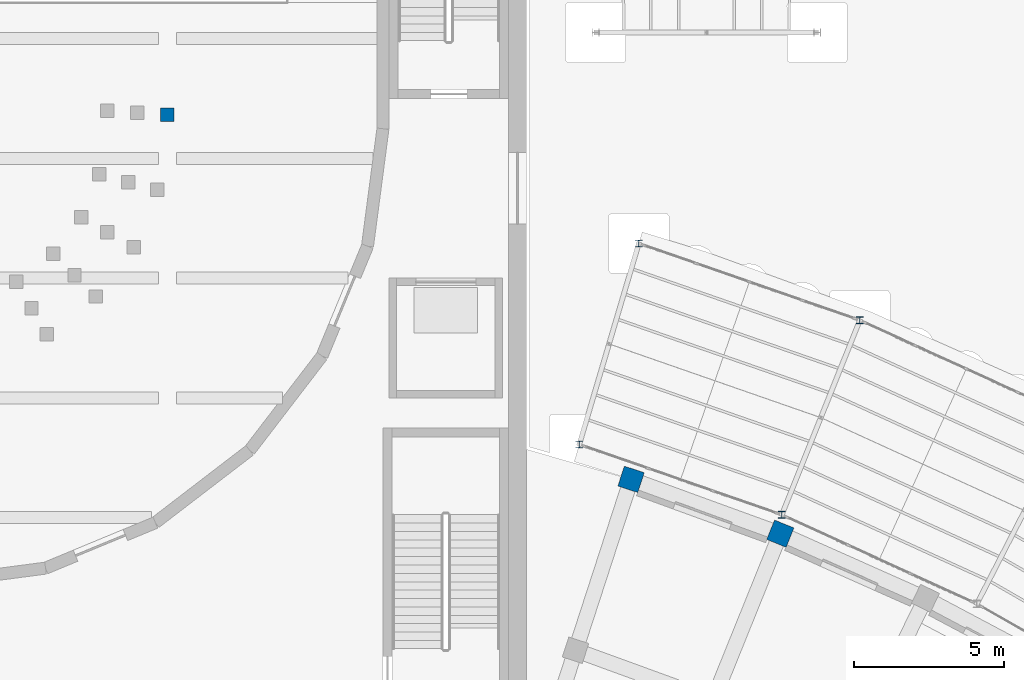
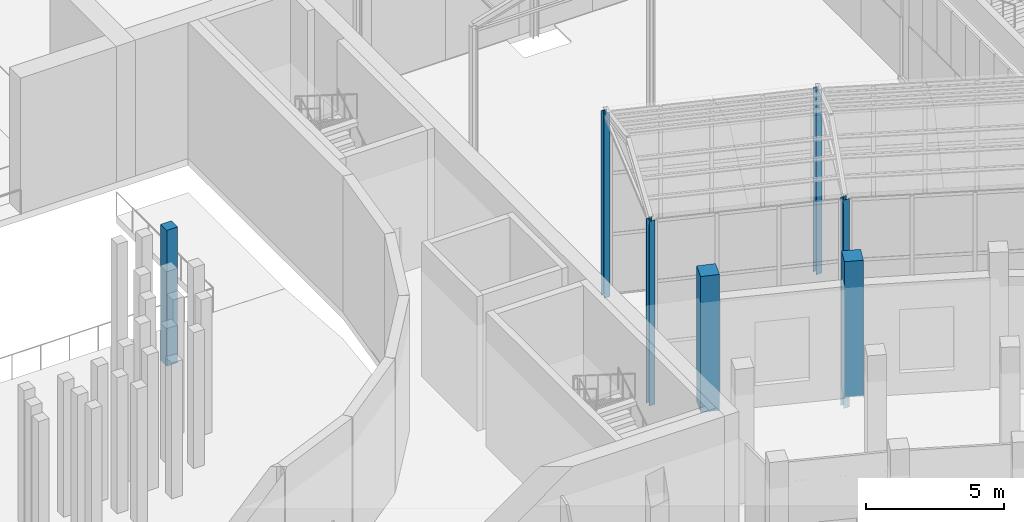
# One storey, part 14 of 155: 7 columns.
"""IFC4 building model written with IfcOpenShell, lengths in metres."""

import ifcopenshell
import ifcopenshell.guid

model = None  # the IFC model being written
_history = None  # IfcOwnerHistory: only IFC2X3 demands one
_inside = {}  # id of a spatial element -> (the spatial element, [elements in it])
_under = {}  # id of a project, library or spatial element -> (it, [spatial elements below it])
_declared = {}  # id of a project -> (the project, [libraries it declares])
_typed = {}  # id of a type object -> (the type object, [elements of that type])
_made_of = {}  # id of a material, layer set ... -> (it, [elements and type objects made of it])


def new_model(schema):
    """Start an empty IFC model of exactly this schema.

    Asked for "IFC4X3", IfcOpenShell would pick the latest addendum, in which some entities
    have other attributes; the version numbers below select the first issue.
    IFC2X3 requires an IfcOwnerHistory on every rooted entity: one is made here for all.
    """
    global model, _history
    if schema == "IFC4X3":
        model = ifcopenshell.file(schema_version=(4, 3, 0, 0))
    else:
        model = ifcopenshell.file(schema=schema)
    _inside.clear()
    _under.clear()
    _declared.clear()
    _typed.clear()
    _made_of.clear()
    _history = None
    if model.schema == "IFC2X3":
        org = make("IfcOrganization", Name="unknown")
        user = make(
            "IfcPersonAndOrganization",
            ThePerson=make("IfcPerson", FamilyName="unknown"),
            TheOrganization=org,
        )
        app = make(
            "IfcApplication",
            ApplicationDeveloper=org,
            Version="unknown",
            ApplicationFullName="unknown",
            ApplicationIdentifier="unknown",
        )
        _history = make(
            "IfcOwnerHistory",
            OwningUser=user,
            OwningApplication=app,
            ChangeAction="ADDED",
            CreationDate=0,
        )
    return model


def make(cls, **values):
    """One entity of the class cls with the attributes given. An attribute that is None is left unset."""
    return model.create_entity(
        cls, **{name: value for name, value in values.items() if value is not None}
    )


def rooted(cls, **values):
    """An entity with a GlobalId (a new one), such as an element, a storey or a relation."""
    return make(cls, GlobalId=ifcopenshell.guid.new(), OwnerHistory=_history, **values)


def si_unit(unit_type, name, prefix=None):
    """IfcSIUnit, for example si_unit("LENGTHUNIT", "METRE", prefix="MILLI")."""
    return make("IfcSIUnit", UnitType=unit_type, Prefix=prefix, Name=name)


def assignment(units):
    """IfcUnitAssignment: the units of a project."""
    return None if units is None else make("IfcUnitAssignment", Units=units)


def point(xyz):
    """IfcCartesianPoint."""
    return None if xyz is None else make("IfcCartesianPoint", Coordinates=xyz)


def direction(xyz):
    """IfcDirection."""
    return None if xyz is None else make("IfcDirection", DirectionRatios=xyz)


def frame(location, z_axis=None, x_axis=None):
    """IfcAxis2Placement3D, a coordinate frame: its origin and axes. An axis left out is left unset."""
    return make(
        "IfcAxis2Placement3D",
        Location=point(location),
        Axis=direction(z_axis),
        RefDirection=direction(x_axis),
    )


def frame_2d(location, x_axis=None):
    """IfcAxis2Placement2D, a coordinate frame in the plane: its origin and x axis."""
    return make(
        "IfcAxis2Placement2D", Location=point(location), RefDirection=direction(x_axis)
    )


def origin():
    """The frame at (0, 0, 0) with its axes left unset."""
    return frame((0.0, 0.0, 0.0))


def origin_2d():
    """The frame at (0, 0) in the plane with its x axis left unset."""
    return frame_2d((0.0, 0.0))


def place(relative_to, where):
    """IfcLocalPlacement: puts the frame where relative to a parent placement (None: the world)."""
    return make(
        "IfcLocalPlacement", PlacementRelTo=relative_to, RelativePlacement=where
    )


def context(
    kind, dimensions, precision=None, world=None, true_north=None, identifier=None
):
    """IfcGeometricRepresentationContext, for example the 3D "Model" context."""
    return make(
        "IfcGeometricRepresentationContext",
        ContextIdentifier=identifier,
        ContextType=kind,
        CoordinateSpaceDimension=dimensions,
        Precision=precision,
        WorldCoordinateSystem=world,
        TrueNorth=true_north,
    )


def subcontext(parent, identifier, kind, view, scale=None):
    """IfcGeometricRepresentationSubContext, for example "Body" below "Model"."""
    return make(
        "IfcGeometricRepresentationSubContext",
        ContextIdentifier=identifier,
        ContextType=kind,
        ParentContext=parent,
        TargetScale=scale,
        TargetView=view,
    )


def project(units=None, contexts=None):
    """IfcProject with its units and contexts."""
    return rooted(
        "IfcProject",
        Name="project",
        RepresentationContexts=contexts,
        UnitsInContext=assignment(units),
    )


def spatial(cls, under=None, at=None, **own):
    """A site, building, storey or space (cls), placed at a placement, below another one or the project."""
    s = rooted(cls, ObjectPlacement=at, **own)
    if under is not None:
        _under.setdefault(under.id(), (under, []))[1].append(s)
    return s


def profile(cls, at=None, kind="AREA", **sizes):
    """A parametric profile (cls). Its sizes go by their IFC names, for example OverallWidth=200.0."""
    return make(cls, ProfileType=kind, Position=at, **sizes)


def rectangle(**sizes):
    """IfcRectangleProfileDef."""
    return profile("IfcRectangleProfileDef", **sizes)


def i_section(**sizes):
    """IfcIShapeProfileDef."""
    return profile("IfcIShapeProfileDef", **sizes)


def extrude(swept, where, along, depth):
    """IfcExtrudedAreaSolid: the profile swept, set in the frame where, extruded along a direction by depth."""
    return make(
        "IfcExtrudedAreaSolid",
        SweptArea=swept,
        Position=where,
        ExtrudedDirection=direction(along),
        Depth=depth,
    )


def shape(context_of_items, identifier, shape_type, items):
    """IfcShapeRepresentation: the items that make up one representation, for example the "Body"."""
    return make(
        "IfcShapeRepresentation",
        ContextOfItems=context_of_items,
        RepresentationIdentifier=identifier,
        RepresentationType=shape_type,
        Items=items,
    )


def material(Name=None, Category=None):
    """IfcMaterial."""
    return make("IfcMaterial", Name=Name, Category=Category)


def material_profile(
    of_material, cross_section, Name=None, Category=None, Priority=None
):
    """IfcMaterialProfile: a cross section and its material."""
    return make(
        "IfcMaterialProfile",
        Name=Name,
        Material=of_material,
        Profile=cross_section,
        Priority=Priority,
        Category=Category,
    )


def profile_set(profiles, Name=None, composite=None):
    """IfcMaterialProfileSet."""
    return make(
        "IfcMaterialProfileSet",
        Name=Name,
        MaterialProfiles=profiles,
        CompositeProfile=composite,
    )


def made_of(thing, what):
    """Note that an element or type object is made of a material, layer set ...; save() writes the relation."""
    if what is not None:
        _made_of.setdefault(what.id(), (what, []))[1].append(thing)
    return thing


def type_object(cls, material=None, **own):
    """A type object (cls), such as IfcWallType, which elements share."""
    return made_of(rooted(cls, **own), material)


def element(
    cls,
    number,
    at=None,
    inside=None,
    cuts=None,
    type_object=None,
    material=None,
    context=None,
    identifier="Body",
    shape_type=None,
    held_by="IfcProductDefinitionShape",
    body=None,
    shapes=None,
    **own,
):
    """One element of the class cls, such as IfcWall. Its Tag is "e" and its number.

    at: its placement. inside: the storey or other place that contains it. cuts: it is an
    opening in that element (IfcRelVoidsElement). A single representation is given by context,
    identifier, shape_type and body (its items); several are given by shapes. held_by: the class
    of the entity that holds the representations. save() writes the other relations.
    """
    e = rooted(cls, Tag="e%d" % number, ObjectPlacement=at, **own)
    if body is not None:
        shapes = [shape(context, identifier, shape_type, body)]
    if shapes is not None:
        e.Representation = make(held_by, Representations=shapes)
    if inside is not None:
        _inside.setdefault(inside.id(), (inside, []))[1].append(e)
    if cuts is not None:
        rooted(
            "IfcRelVoidsElement", RelatingBuildingElement=cuts, RelatedOpeningElement=e
        )
    if type_object is not None:
        _typed.setdefault(type_object.id(), (type_object, []))[1].append(e)
    return made_of(e, material)


def aggregate(whole, parts):
    """IfcRelAggregates: a whole, such as a stair, and the parts it consists of."""
    return rooted("IfcRelAggregates", RelatingObject=whole, RelatedObjects=parts)


def save(model, path):
    """Write the relations noted so far, then the file.

    IfcRelAggregates (storeys below a building ...), IfcRelContainedInSpatialStructure (elements
    in a storey), IfcRelDefinesByType, IfcRelAssociatesMaterial and IfcRelDeclares: one each for
    every whole, place, type object, material and project.
    """
    for whole, parts in _under.values():
        aggregate(whole, parts)
    for where, things in _inside.values():
        rooted(
            "IfcRelContainedInSpatialStructure",
            RelatedElements=things,
            RelatingStructure=where,
        )
    for kind, things in _typed.values():
        rooted("IfcRelDefinesByType", RelatedObjects=things, RelatingType=kind)
    for what, things in _made_of.values():
        rooted("IfcRelAssociatesMaterial", RelatedObjects=things, RelatingMaterial=what)
    for by, libraries in _declared.values():
        rooted("IfcRelDeclares", RelatingContext=by, RelatedDefinitions=libraries)
    model.write(path)


model = new_model("IFC4")

# Units and contexts
model_context = context("Model", 3, precision=1e-05, world=origin(), true_north=direction((0.0, 1.0)))
body_context = subcontext(model_context, "Body", "Model", "MODEL_VIEW")
ifc_project = project(units=[si_unit("LENGTHUNIT", "METRE"), si_unit("AREAUNIT", "SQUARE_METRE"), si_unit("VOLUMEUNIT", "CUBIC_METRE"), si_unit("PLANEANGLEUNIT", "RADIAN"), si_unit("MASSUNIT", "GRAM", prefix="KILO")], contexts=[model_context])

# Site, building, storey
site_placement = place(None, origin())
site = spatial("IfcSite", under=ifc_project, at=site_placement, CompositionType="ELEMENT")
building_placement = place(site_placement, origin())
building = spatial("IfcBuilding", under=site, at=building_placement, Name="Lunette Opera House", CompositionType="ELEMENT")
storey_placement = place(building_placement, origin())
storey = spatial("IfcBuildingStorey", under=building, at=storey_placement, Name="L00", CompositionType="ELEMENT", Elevation=0.0)

# Columns
ifc_material_1 = material(Name="Concrete C40/50", Category="concrete")
ifc_material_profile_1 = material_profile(ifc_material_1, rectangle(XDim=0.449951171875, YDim=0.449951171875, at=origin_2d()), Name="RC COLUMN 450X450")
ifc_profile_set_1 = profile_set([ifc_material_profile_1], Name="Concrete C40/50")
column_type_1 = type_object("IfcColumnType", Name="RC COLUMN 450X450", PredefinedType="COLUMN", material=ifc_profile_set_1)
column_1_placement = place(storey_placement, frame((104.0, 84.458984375, 0.0), z_axis=(0.0, 0.0, 1.0), x_axis=(1.0, 0.0, 0.0)))
element("IfcColumn", 1, at=column_1_placement, inside=storey, type_object=column_type_1, Name="col-AU-L00-TCL04-13", PredefinedType="COLUMN", context=body_context, shape_type="SweptSolid", body=[
    extrude(rectangle(XDim=0.449951171875, YDim=0.449951171875, at=origin_2d()), origin(), (0.0, 0.0, 1.0), 6.0),
])
ifc_material_2 = material(Name="Concrete C35/45", Category="concrete")
ifc_material_profile_2 = material_profile(ifc_material_2, rectangle(XDim=0.699951171875, YDim=0.699951171875, at=origin_2d()), Name="RC COLUMN 700X700")
ifc_profile_set_2 = profile_set([ifc_material_profile_2], Name="Concrete C35/45")
column_type_2 = type_object("IfcColumnType", Name="RC COLUMN 700X700", PredefinedType="COLUMN", material=ifc_profile_set_2)
for number, where, z_axis, x_axis, name in (
    (2, (119.485107421875, 72.280029296875, 0.0), (0.0, 0.0, 1.0), (0.951056516295, -0.309016994375, 0.0), "col-FC-L00-AR-C-RL-18"),
    (3, (124.469970703125, 70.466064453125, 0.0), (0.0, 0.0, 1.0), (0.927183854567, -0.374606593416, 0.0), "col-FC-L00-AR-C-RL-19"),
):
    element("IfcColumn", number, at=place(storey_placement, frame(where, z_axis=z_axis, x_axis=x_axis)), inside=storey, type_object=column_type_2, Name=name, PredefinedType="COLUMN", context=body_context, shape_type="SweptSolid", body=[
        extrude(rectangle(XDim=0.699951171875, YDim=0.699951171875, at=origin_2d()), origin(), (0.0, 0.0, 1.0), 6.0),
    ])
ifc_material_3 = material(Name="Steel S355", Category="steel")
ifc_material_profile_3 = material_profile(ifc_material_3, i_section(OverallWidth=0.239990234375, OverallDepth=0.22998046875, WebThickness=0.007568359375, FlangeThickness=0.011962890625, FilletRadius=0.02099609375, at=origin_2d()), Name="HEA 240")
ifc_profile_set_3 = profile_set([ifc_material_profile_3], Name="Steel S355")
column_type_3 = type_object("IfcColumnType", Name="STEEL COLUMN HEA 240", PredefinedType="COLUMN", material=ifc_profile_set_3)
for number, where, z_axis, x_axis, name in (
    (4, (117.756103515625, 73.446044921875, 0.0), (0.0, 0.0, 1.0), (1.0, 0.0, 0.0), "col-PP-L00-PC-EI01"),
    (5, (119.743896484375, 80.156982421875, 0.0), (0.0, 0.0, 1.0), (1.0, 0.0, 0.0), "col-PP-L00-PC-EO01"),
):
    element("IfcColumn", number, at=place(storey_placement, frame(where, z_axis=z_axis, x_axis=x_axis)), inside=storey, type_object=column_type_3, Name=name, PredefinedType="COLUMN", context=body_context, shape_type="SweptSolid", body=[
        extrude(i_section(OverallWidth=0.239990234375, OverallDepth=0.22998046875, WebThickness=0.007568359375, FlangeThickness=0.011962890625, FilletRadius=0.02099609375, at=origin_2d()), origin(), (0.0, 0.0, 1.0), 8.14990234375),
    ])
column_2_placement = place(storey_placement, frame((124.51806640625, 71.093994140625, -1.050048828125), z_axis=(0.0, 0.0, 1.0), x_axis=(1.0, 0.0, 0.0)))
element("IfcColumn", 6, at=column_2_placement, inside=storey, type_object=column_type_3, Name="col-PP-L00-PC-EI02", PredefinedType="COLUMN", context=body_context, shape_type="SweptSolid", body=[
    extrude(i_section(OverallWidth=0.239990234375, OverallDepth=0.22998046875, WebThickness=0.007568359375, FlangeThickness=0.011962890625, FilletRadius=0.02099609375, at=origin_2d()), origin(), (0.0, 0.0, 1.0), 9.199951171875),
])
column_3_placement = place(storey_placement, frame((127.1240234375, 77.590087890625, 0.0), z_axis=(0.0, 0.0, 1.0), x_axis=(1.0, 0.0, 0.0)))
element("IfcColumn", 7, at=column_3_placement, inside=storey, type_object=column_type_3, Name="col-PP-L00-PC-EO02", PredefinedType="COLUMN", context=body_context, shape_type="SweptSolid", body=[
    extrude(i_section(OverallWidth=0.239990234375, OverallDepth=0.22998046875, WebThickness=0.007568359375, FlangeThickness=0.011962890625, FilletRadius=0.02099609375, at=origin_2d()), origin(), (0.0, 0.0, 1.0), 8.14990234375),
])

save(model, "model.ifc")
